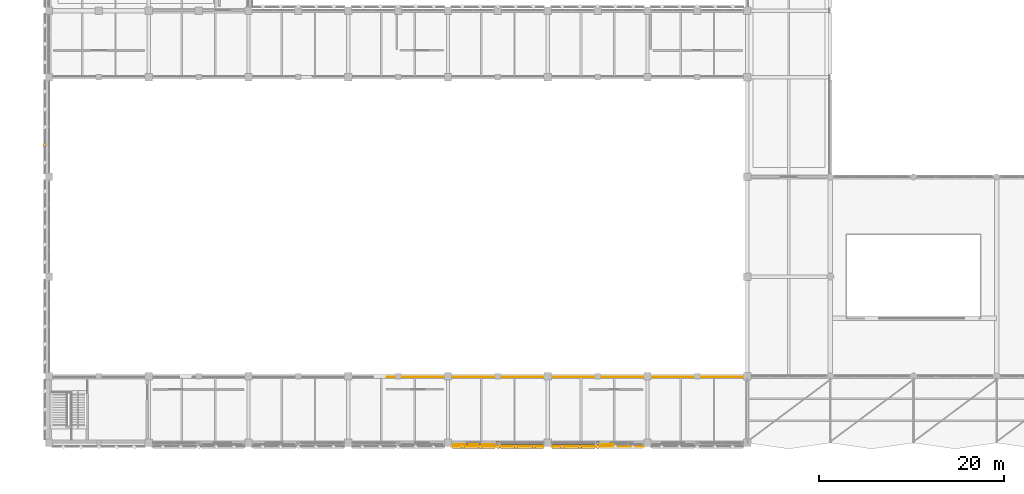
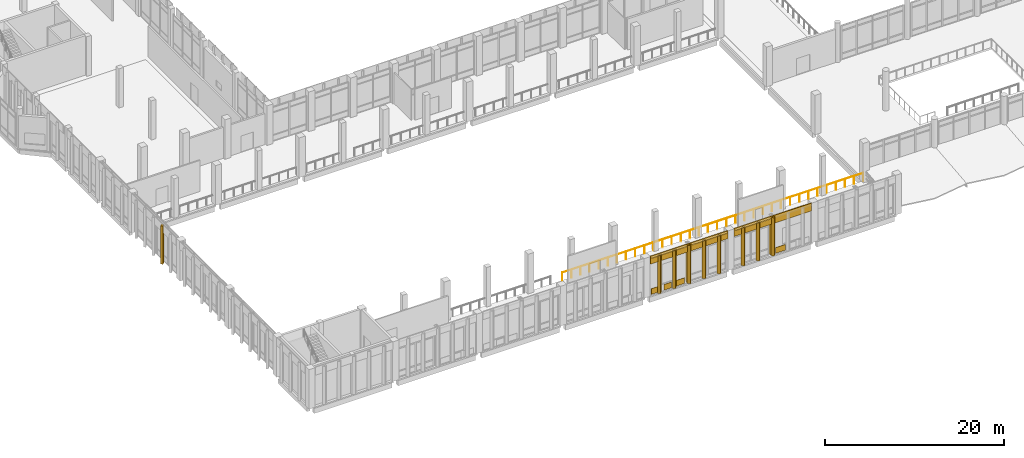
# One storey, part 165 of 180: 20 coverings, 1 railing.
"""IFC4 building model written with IfcOpenShell, lengths in metres."""

from ifc_helpers import new_model, si_unit, direction, frame, origin, origin_2d, place, context, subcontext, project, spatial, rectangle, circle, extrude, material, layer, layer_set, type_object, element, save


model = new_model("IFC4")

# Units and contexts
model_context = context("Model", 3, precision=1e-05, world=origin(), true_north=direction((0.0, 1.0)))
body_context = subcontext(model_context, "Body", "Model", "MODEL_VIEW")
ifc_project = project(units=[si_unit("LENGTHUNIT", "METRE"), si_unit("AREAUNIT", "SQUARE_METRE"), si_unit("VOLUMEUNIT", "CUBIC_METRE"), si_unit("PLANEANGLEUNIT", "RADIAN"), si_unit("MASSUNIT", "GRAM", prefix="KILO")], contexts=[model_context])

# Site, building, storey
site_placement = place(None, origin())
site = spatial("IfcSite", under=ifc_project, at=site_placement, CompositionType="ELEMENT")
building_placement = place(site_placement, origin())
building = spatial("IfcBuilding", under=site, at=building_placement, Name="Lusvemor Sports Hall", CompositionType="ELEMENT")
storey_placement = place(building_placement, frame((0.0, 0.0, 5.39990234375)))
storey = spatial("IfcBuildingStorey", under=building, at=storey_placement, Name="L01", CompositionType="ELEMENT", Elevation=5.39990234375)

# Coverings
ifc_material_1 = material(Name="Precast granite-faced Concrete C40/50 architectural cladding", Category="masonry")
ifc_layer_1 = layer(ifc_material_1, 0.055908203125)
ifc_layer_set_1 = layer_set([ifc_layer_1], Name="Precast granite-faced Concrete C40/50 architectural cladding")
covering_type_1 = type_object("IfcCoveringType", Name="CLAD_RELIEF_FRIEZE", PredefinedType="CLADDING", material=ifc_layer_set_1)
for number, where, z_axis, x_axis, name in (
    (1, (48.60009765625, 0.0, 0.0), (0.0, 0.0, 1.0), (1.0, 0.0, 0.0), "Boulevard L01 Pilaster Pier Casing S4"),
    (2, (59.39990234375, 0.0, 0.0), (0.0, 0.0, 1.0), (1.0, 0.0, 0.0), "Boulevard L01 Pilaster Pier Casing S5"),
):
    element("IfcCovering", number, at=place(storey_placement, frame(where, z_axis=z_axis, x_axis=x_axis)), inside=storey, type_object=covering_type_1, Name=name, PredefinedType="CLADDING", context=body_context, shape_type="SweptSolid", body=[
        extrude(rectangle(XDim=0.27001953125, YDim=0.3798828125, at=origin_2d()), origin(), (0.0, 0.0, 1.0), 4.699951171875),
    ])
ifc_material_2 = material(Name="Emerald polychrome glazed ceramic cladding on Concrete C40/50 backing", Category="concrete")
ifc_layer_2 = layer(ifc_material_2, 0.0458984375)
ifc_layer_set_2 = layer_set([ifc_layer_2], Name="Emerald polychrome glazed ceramic cladding on Concrete C40/50 backing")
covering_type_2 = type_object("IfcCoveringType", Name="CLAD_WAVE_EMERALD", PredefinedType="CLADDING", material=ifc_layer_set_2)
for number, where, z_axis, x_axis, name in (
    (3, (44.469970703125, -0.1904296875, 0.050048828125), (0.0, 0.0, 1.0), (1.0, 0.0, 0.0), "Art Nouveau Patterned Cladding PS-V1S1-4-1-1"),
    (4, (47.510009765625, -0.1904296875, 0.050048828125), (0.0, 0.0, 1.0), (1.0, 0.0, 0.0), "Art Nouveau Patterned Cladding PS-V1S1-4-1-3"),
    (5, (60.489990234375, -0.1904296875, 0.050048828125), (0.0, 0.0, 1.0), (1.0, 0.0, 0.0), "Art Nouveau Patterned Cladding PS-V1S1-5-2-1"),
):
    element("IfcCovering", number, at=place(storey_placement, frame(where, z_axis=z_axis, x_axis=x_axis)), inside=storey, type_object=covering_type_2, Name=name, PredefinedType="CLADDING", context=body_context, shape_type="SweptSolid", body=[
        extrude(rectangle(XDim=1.246337890625, YDim=0.0458984375, at=origin_2d()), origin(), (0.0, 0.0, 1.0), 0.77001953125),
    ])
for number, where, z_axis, x_axis, name in (
    (6, (46.679931640625, -0.43994140625, 0.10009765625), (0.0, 0.0, 1.0), (0.707106781187, 0.707106781187, 0.0), "Patterned Diamond Cladding Rib 89"),
    (7, (50.52001953125, -0.43994140625, 0.10009765625), (0.0, 0.0, 1.0), (0.707106781187, 0.707106781187, 0.0), "Patterned Diamond Cladding Rib 91"),
    (8, (57.47998046875, -0.43994140625, 0.10009765625), (0.0, 0.0, 1.0), (0.707106781187, 0.707106781187, 0.0), "Patterned Diamond Cladding Rib 107"),
):
    element("IfcCovering", number, at=place(storey_placement, frame(where, z_axis=z_axis, x_axis=x_axis)), inside=storey, type_object=covering_type_2, Name=name, PredefinedType="CLADDING", context=body_context, shape_type="SweptSolid", body=[
        extrude(rectangle(XDim=0.280029296875, YDim=0.3798828125, at=origin_2d()), origin(), (0.0, 0.0, 1.0), 5.199951171875),
    ])
covering_1_placement = place(storey_placement, frame((-0.43994140625, 32.280029296875, 0.10009765625), z_axis=(0.0, 0.0, 1.0), x_axis=(0.707106781187, 0.707106781187, 0.0)))
element("IfcCovering", 9, at=covering_1_placement, inside=storey, type_object=covering_type_2, Name="Patterned Diamond Cladding Rib 957", PredefinedType="CLADDING", context=body_context, shape_type="SweptSolid", body=[
    extrude(rectangle(XDim=0.3798828125, YDim=0.280029296875, at=origin_2d()), origin(), (0.0, 0.0, 1.0), 5.199951171875),
])
ifc_material_3 = material(Name="Warm terracotta Art Nouveau ceramic cladding on Concrete C40/50 backing", Category="masonry")
ifc_layer_3 = layer(ifc_material_3, 0.0380859375)
ifc_layer_set_3 = layer_set([ifc_layer_3], Name="Warm terracotta Art Nouveau ceramic cladding on Concrete C40/50 backing")
covering_type_3 = type_object("IfcCoveringType", Name="CLAD_WAVE_OCHRE", PredefinedType="CLADDING", material=ifc_layer_set_3)
covering_2_placement = place(storey_placement, frame((45.989990234375, -0.1865234375, 0.050048828125), z_axis=(0.0, 0.0, 1.0), x_axis=(1.0, 0.0, 0.0)))
element("IfcCovering", 10, at=covering_2_placement, inside=storey, type_object=covering_type_3, Name="Art Nouveau Patterned Cladding PS-V1S1-4-1-2", PredefinedType="CLADDING", context=body_context, shape_type="SweptSolid", body=[
    extrude(rectangle(XDim=0.972900390625, YDim=0.0380859375, at=origin_2d()), origin(), (0.0, 0.0, 1.0), 0.77001953125),
])
for number, where, z_axis, x_axis, name in (
    (11, (48.60009765625, -0.389892578125, 4.380126953125), (0.0, 0.0, 1.0), (1.0, 0.0, 0.0), "Art Nouveau Spandrel Cornice 87"),
    (12, (59.39990234375, -0.389892578125, 4.380126953125), (0.0, 0.0, 1.0), (1.0, 0.0, 0.0), "Art Nouveau Spandrel Cornice 105"),
):
    element("IfcCovering", number, at=place(storey_placement, frame(where, z_axis=z_axis, x_axis=x_axis)), inside=storey, type_object=covering_type_3, Name=name, PredefinedType="CLADDING", context=body_context, shape_type="SweptSolid", body=[
        extrude(rectangle(XDim=9.97998046875, YDim=0.090087890625, at=origin_2d()), origin(), (0.0, 0.0, 1.0), 1.080078125),
    ])
ifc_material_4 = material(Name="Warm terracotta Art Nouveau ceramic cladding on Concrete C40/50 backing", Category="masonry")
ifc_layer_4 = layer(ifc_material_4, 0.449951171875)
ifc_layer_set_4 = layer_set([ifc_layer_4], Name="Warm terracotta Art Nouveau ceramic cladding on Concrete C40/50 backing")
covering_type_4 = type_object("IfcCoveringType", Name="FIN_BRISE_CER_450", PredefinedType="MOLDING", material=ifc_layer_set_4)
for number, where, z_axis, x_axis, name in (
    (13, (45.989990234375, -0.3798828125, 5.18017578125), (0.0, 0.0, 1.0), (1.0, 0.0, 0.0), "Boulevard Coastal Sun Hood S-4.1"),
    (14, (51.2099609375, -0.3798828125, 5.18017578125), (0.0, 0.0, 1.0), (1.0, 0.0, 0.0), "Boulevard Coastal Sun Hood S-4.2"),
    (15, (56.7900390625, -0.3798828125, 5.18017578125), (0.0, 0.0, 1.0), (1.0, 0.0, 0.0), "Boulevard Coastal Sun Hood S-5.1"),
):
    element("IfcCovering", number, at=place(storey_placement, frame(where, z_axis=z_axis, x_axis=x_axis)), inside=storey, type_object=covering_type_4, Name=name, PredefinedType="MOLDING", context=body_context, shape_type="SweptSolid", body=[
        extrude(rectangle(XDim=4.6201171875, YDim=0.449951171875, at=origin_2d()), origin(), (0.0, 0.0, 1.0), 0.139892578125),
    ])
for number, where, z_axis, x_axis, name in (
    (16, (44.760009765625, -0.43994140625, 0.10009765625), (0.0, 0.0, 1.0), (0.707106781187, 0.707106781187, 0.0), "Patterned Diamond Cladding Rib 88"),
    (17, (48.60009765625, -0.43994140625, 0.10009765625), (0.0, 0.0, 1.0), (0.707106781187, 0.707106781187, 0.0), "Patterned Diamond Cladding Rib 90"),
    (18, (52.43994140625, -0.43994140625, 0.10009765625), (0.0, 0.0, 1.0), (0.707106781187, 0.707106781187, 0.0), "Patterned Diamond Cladding Rib 92"),
    (19, (55.56005859375, -0.43994140625, 0.10009765625), (0.0, 0.0, 1.0), (0.707106781187, 0.707106781187, 0.0), "Patterned Diamond Cladding Rib 106"),
    (20, (59.39990234375, -0.43994140625, 0.10009765625), (0.0, 0.0, 1.0), (0.707106781187, 0.707106781187, 0.0), "Patterned Diamond Cladding Rib 108"),
):
    element("IfcCovering", number, at=place(storey_placement, frame(where, z_axis=z_axis, x_axis=x_axis)), inside=storey, type_object=covering_type_4, Name=name, PredefinedType="MOLDING", context=body_context, shape_type="SweptSolid", body=[
        extrude(rectangle(XDim=0.280029296875, YDim=0.3798828125, at=origin_2d()), origin(), (0.0, 0.0, 1.0), 5.199951171875),
    ])

# Railing
ifc_material_5 = material(Name="Bronze-finished wrought-steel Art Nouveau balustrade", Category="steel")
railing_type = type_object("IfcRailingType", Name="RAIL_ATRIUM_BAL_115", PredefinedType="BALUSTRADE", material=ifc_material_5)
railing_placement = place(storey_placement, frame((36.60009765625, 7.1201171875, 0.0)))
element("IfcRailing", 21, at=railing_placement, inside=storey, type_object=railing_type, Name="Court 1 South Gallery Balustrade E", PredefinedType="BALUSTRADE", context=body_context, shape_type="SweptSolid", body=[
    extrude(circle(Radius=0.02392578125, at=origin_2d()), frame((0.0, 0.0, 1.1259765625), z_axis=(1.0, 0.0, 0.0), x_axis=(0.0, 1.0, 0.0)), (0.0, 0.0, 1.0), 38.7998046875),
    extrude(circle(Radius=0.02099609375, at=origin_2d()), origin(), (0.0, 0.0, 1.0), 1.101806640625),
    extrude(circle(Radius=0.02099609375, at=origin_2d()), frame((1.17578125, 0.0, 0.0)), (0.0, 0.0, 1.0), 1.101806640625),
    extrude(circle(Radius=0.02099609375, at=origin_2d()), frame((2.3515625, 0.0, 0.0)), (0.0, 0.0, 1.0), 1.101806640625),
    extrude(circle(Radius=0.02099609375, at=origin_2d()), frame((3.52734375, 0.0, 0.0)), (0.0, 0.0, 1.0), 1.101806640625),
    extrude(circle(Radius=0.02099609375, at=origin_2d()), frame((4.703125, 0.0, 0.0)), (0.0, 0.0, 1.0), 1.101806640625),
    extrude(circle(Radius=0.02099609375, at=origin_2d()), frame((5.878662109375, 0.0, 0.0)), (0.0, 0.0, 1.0), 1.101806640625),
    extrude(circle(Radius=0.02099609375, at=origin_2d()), frame((7.054443359375, 0.0, 0.0)), (0.0, 0.0, 1.0), 1.101806640625),
    extrude(circle(Radius=0.02099609375, at=origin_2d()), frame((8.230224609375, 0.0, 0.0)), (0.0, 0.0, 1.0), 1.101806640625),
    extrude(circle(Radius=0.02099609375, at=origin_2d()), frame((9.406005859375, 0.0, 0.0)), (0.0, 0.0, 1.0), 1.101806640625),
    extrude(circle(Radius=0.02099609375, at=origin_2d()), frame((10.581787109375, 0.0, 0.0)), (0.0, 0.0, 1.0), 1.101806640625),
    extrude(circle(Radius=0.02099609375, at=origin_2d()), frame((11.757568359375, 0.0, 0.0)), (0.0, 0.0, 1.0), 1.101806640625),
    extrude(circle(Radius=0.02099609375, at=origin_2d()), frame((12.933349609375, 0.0, 0.0)), (0.0, 0.0, 1.0), 1.101806640625),
    extrude(circle(Radius=0.02099609375, at=origin_2d()), frame((14.109130859375, 0.0, 0.0)), (0.0, 0.0, 1.0), 1.101806640625),
    extrude(circle(Radius=0.02099609375, at=origin_2d()), frame((15.28466796875, 0.0, 0.0)), (0.0, 0.0, 1.0), 1.101806640625),
    extrude(circle(Radius=0.02099609375, at=origin_2d()), frame((16.46044921875, 0.0, 0.0)), (0.0, 0.0, 1.0), 1.101806640625),
    extrude(circle(Radius=0.02099609375, at=origin_2d()), frame((17.63623046875, 0.0, 0.0)), (0.0, 0.0, 1.0), 1.101806640625),
    extrude(circle(Radius=0.02099609375, at=origin_2d()), frame((18.81201171875, 0.0, 0.0)), (0.0, 0.0, 1.0), 1.101806640625),
    extrude(circle(Radius=0.02099609375, at=origin_2d()), frame((19.98779296875, 0.0, 0.0)), (0.0, 0.0, 1.0), 1.101806640625),
    extrude(circle(Radius=0.02099609375, at=origin_2d()), frame((21.16357421875, 0.0, 0.0)), (0.0, 0.0, 1.0), 1.101806640625),
    extrude(circle(Radius=0.02099609375, at=origin_2d()), frame((22.33935546875, 0.0, 0.0)), (0.0, 0.0, 1.0), 1.101806640625),
    extrude(circle(Radius=0.02099609375, at=origin_2d()), frame((23.51513671875, 0.0, 0.0)), (0.0, 0.0, 1.0), 1.101806640625),
    extrude(circle(Radius=0.02099609375, at=origin_2d()), frame((24.690673828125, 0.0, 0.0)), (0.0, 0.0, 1.0), 1.101806640625),
    extrude(circle(Radius=0.02099609375, at=origin_2d()), frame((25.866455078125, 0.0, 0.0)), (0.0, 0.0, 1.0), 1.101806640625),
    extrude(circle(Radius=0.02099609375, at=origin_2d()), frame((27.042236328125, 0.0, 0.0)), (0.0, 0.0, 1.0), 1.101806640625),
    extrude(circle(Radius=0.02099609375, at=origin_2d()), frame((28.218017578125, 0.0, 0.0)), (0.0, 0.0, 1.0), 1.101806640625),
    extrude(circle(Radius=0.02099609375, at=origin_2d()), frame((29.393798828125, 0.0, 0.0)), (0.0, 0.0, 1.0), 1.101806640625),
    extrude(circle(Radius=0.02099609375, at=origin_2d()), frame((30.569580078125, 0.0, 0.0)), (0.0, 0.0, 1.0), 1.101806640625),
    extrude(circle(Radius=0.02099609375, at=origin_2d()), frame((31.745361328125, 0.0, 0.0)), (0.0, 0.0, 1.0), 1.101806640625),
    extrude(circle(Radius=0.02099609375, at=origin_2d()), frame((32.921142578125, 0.0, 0.0)), (0.0, 0.0, 1.0), 1.101806640625),
    extrude(circle(Radius=0.02099609375, at=origin_2d()), frame((34.0966796875, 0.0, 0.0)), (0.0, 0.0, 1.0), 1.101806640625),
    extrude(circle(Radius=0.02099609375, at=origin_2d()), frame((35.2724609375, 0.0, 0.0)), (0.0, 0.0, 1.0), 1.101806640625),
    extrude(circle(Radius=0.02099609375, at=origin_2d()), frame((36.4482421875, 0.0, 0.0)), (0.0, 0.0, 1.0), 1.101806640625),
    extrude(circle(Radius=0.02099609375, at=origin_2d()), frame((37.6240234375, 0.0, 0.0)), (0.0, 0.0, 1.0), 1.101806640625),
    extrude(circle(Radius=0.02099609375, at=origin_2d()), frame((38.7998046875, 0.0, 0.0)), (0.0, 0.0, 1.0), 1.101806640625),
])

save(model, "model.ifc")
